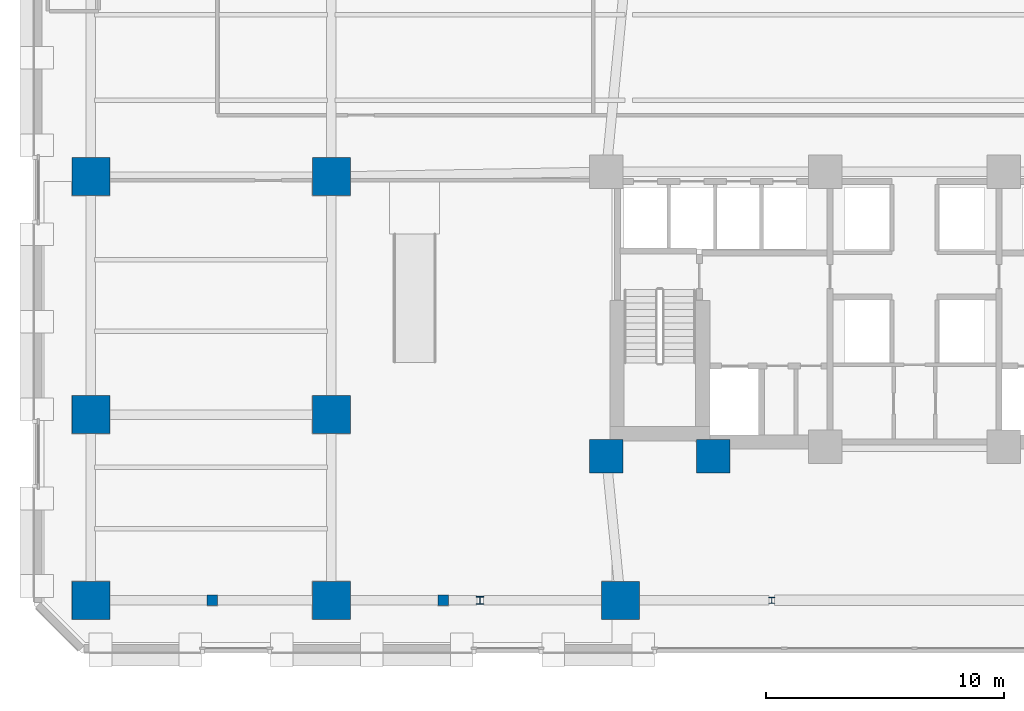
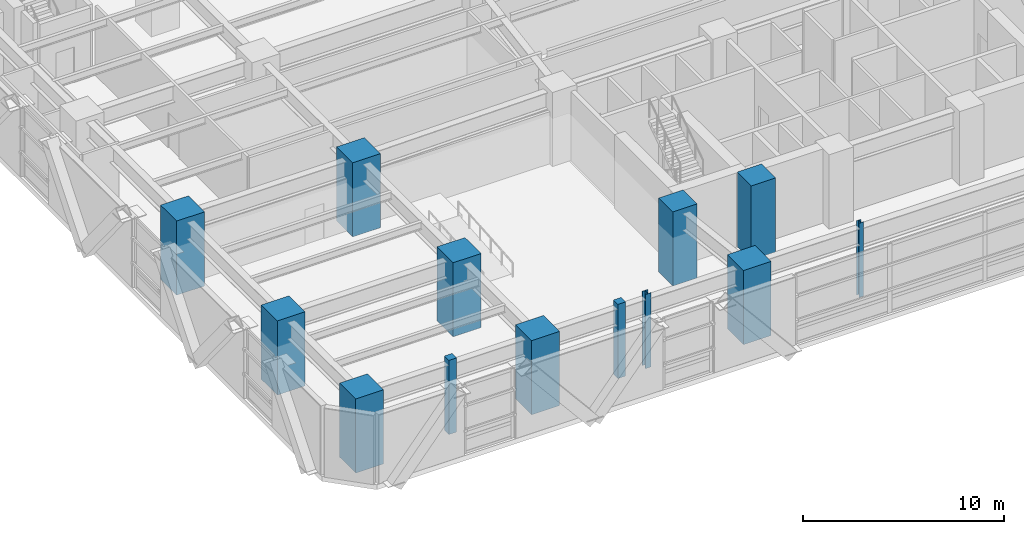
# One storey, part 1 of 26: 13 columns.
"""IFC4 building model written with IfcOpenShell, lengths in metres."""

import ifcopenshell
import ifcopenshell.guid

model = None  # the IFC model being written
_history = None  # IfcOwnerHistory: only IFC2X3 demands one
_inside = {}  # id of a spatial element -> (the spatial element, [elements in it])
_under = {}  # id of a project, library or spatial element -> (it, [spatial elements below it])
_declared = {}  # id of a project -> (the project, [libraries it declares])
_typed = {}  # id of a type object -> (the type object, [elements of that type])
_made_of = {}  # id of a material, layer set ... -> (it, [elements and type objects made of it])


def new_model(schema):
    """Start an empty IFC model of exactly this schema.

    Asked for "IFC4X3", IfcOpenShell would pick the latest addendum, in which some entities
    have other attributes; the version numbers below select the first issue.
    IFC2X3 requires an IfcOwnerHistory on every rooted entity: one is made here for all.
    """
    global model, _history
    if schema == "IFC4X3":
        model = ifcopenshell.file(schema_version=(4, 3, 0, 0))
    else:
        model = ifcopenshell.file(schema=schema)
    _inside.clear()
    _under.clear()
    _declared.clear()
    _typed.clear()
    _made_of.clear()
    _history = None
    if model.schema == "IFC2X3":
        org = make("IfcOrganization", Name="unknown")
        user = make(
            "IfcPersonAndOrganization",
            ThePerson=make("IfcPerson", FamilyName="unknown"),
            TheOrganization=org,
        )
        app = make(
            "IfcApplication",
            ApplicationDeveloper=org,
            Version="unknown",
            ApplicationFullName="unknown",
            ApplicationIdentifier="unknown",
        )
        _history = make(
            "IfcOwnerHistory",
            OwningUser=user,
            OwningApplication=app,
            ChangeAction="ADDED",
            CreationDate=0,
        )
    return model


def make(cls, **values):
    """One entity of the class cls with the attributes given. An attribute that is None is left unset."""
    return model.create_entity(
        cls, **{name: value for name, value in values.items() if value is not None}
    )


def rooted(cls, **values):
    """An entity with a GlobalId (a new one), such as an element, a storey or a relation."""
    return make(cls, GlobalId=ifcopenshell.guid.new(), OwnerHistory=_history, **values)


def si_unit(unit_type, name, prefix=None):
    """IfcSIUnit, for example si_unit("LENGTHUNIT", "METRE", prefix="MILLI")."""
    return make("IfcSIUnit", UnitType=unit_type, Prefix=prefix, Name=name)


def assignment(units):
    """IfcUnitAssignment: the units of a project."""
    return None if units is None else make("IfcUnitAssignment", Units=units)


def point(xyz):
    """IfcCartesianPoint."""
    return None if xyz is None else make("IfcCartesianPoint", Coordinates=xyz)


def direction(xyz):
    """IfcDirection."""
    return None if xyz is None else make("IfcDirection", DirectionRatios=xyz)


def frame(location, z_axis=None, x_axis=None):
    """IfcAxis2Placement3D, a coordinate frame: its origin and axes. An axis left out is left unset."""
    return make(
        "IfcAxis2Placement3D",
        Location=point(location),
        Axis=direction(z_axis),
        RefDirection=direction(x_axis),
    )


def frame_2d(location, x_axis=None):
    """IfcAxis2Placement2D, a coordinate frame in the plane: its origin and x axis."""
    return make(
        "IfcAxis2Placement2D", Location=point(location), RefDirection=direction(x_axis)
    )


def origin():
    """The frame at (0, 0, 0) with its axes left unset."""
    return frame((0.0, 0.0, 0.0))


def origin_2d():
    """The frame at (0, 0) in the plane with its x axis left unset."""
    return frame_2d((0.0, 0.0))


def place(relative_to, where):
    """IfcLocalPlacement: puts the frame where relative to a parent placement (None: the world)."""
    return make(
        "IfcLocalPlacement", PlacementRelTo=relative_to, RelativePlacement=where
    )


def context(
    kind, dimensions, precision=None, world=None, true_north=None, identifier=None
):
    """IfcGeometricRepresentationContext, for example the 3D "Model" context."""
    return make(
        "IfcGeometricRepresentationContext",
        ContextIdentifier=identifier,
        ContextType=kind,
        CoordinateSpaceDimension=dimensions,
        Precision=precision,
        WorldCoordinateSystem=world,
        TrueNorth=true_north,
    )


def subcontext(parent, identifier, kind, view, scale=None):
    """IfcGeometricRepresentationSubContext, for example "Body" below "Model"."""
    return make(
        "IfcGeometricRepresentationSubContext",
        ContextIdentifier=identifier,
        ContextType=kind,
        ParentContext=parent,
        TargetScale=scale,
        TargetView=view,
    )


def project(units=None, contexts=None):
    """IfcProject with its units and contexts."""
    return rooted(
        "IfcProject",
        Name="project",
        RepresentationContexts=contexts,
        UnitsInContext=assignment(units),
    )


def spatial(cls, under=None, at=None, **own):
    """A site, building, storey or space (cls), placed at a placement, below another one or the project."""
    s = rooted(cls, ObjectPlacement=at, **own)
    if under is not None:
        _under.setdefault(under.id(), (under, []))[1].append(s)
    return s


def profile(cls, at=None, kind="AREA", **sizes):
    """A parametric profile (cls). Its sizes go by their IFC names, for example OverallWidth=200.0."""
    return make(cls, ProfileType=kind, Position=at, **sizes)


def rectangle(**sizes):
    """IfcRectangleProfileDef."""
    return profile("IfcRectangleProfileDef", **sizes)


def i_section(**sizes):
    """IfcIShapeProfileDef."""
    return profile("IfcIShapeProfileDef", **sizes)


def extrude(swept, where, along, depth):
    """IfcExtrudedAreaSolid: the profile swept, set in the frame where, extruded along a direction by depth."""
    return make(
        "IfcExtrudedAreaSolid",
        SweptArea=swept,
        Position=where,
        ExtrudedDirection=direction(along),
        Depth=depth,
    )


def shape(context_of_items, identifier, shape_type, items):
    """IfcShapeRepresentation: the items that make up one representation, for example the "Body"."""
    return make(
        "IfcShapeRepresentation",
        ContextOfItems=context_of_items,
        RepresentationIdentifier=identifier,
        RepresentationType=shape_type,
        Items=items,
    )


def material(Name=None, Category=None):
    """IfcMaterial."""
    return make("IfcMaterial", Name=Name, Category=Category)


def material_profile(
    of_material, cross_section, Name=None, Category=None, Priority=None
):
    """IfcMaterialProfile: a cross section and its material."""
    return make(
        "IfcMaterialProfile",
        Name=Name,
        Material=of_material,
        Profile=cross_section,
        Priority=Priority,
        Category=Category,
    )


def profile_set(profiles, Name=None, composite=None):
    """IfcMaterialProfileSet."""
    return make(
        "IfcMaterialProfileSet",
        Name=Name,
        MaterialProfiles=profiles,
        CompositeProfile=composite,
    )


def made_of(thing, what):
    """Note that an element or type object is made of a material, layer set ...; save() writes the relation."""
    if what is not None:
        _made_of.setdefault(what.id(), (what, []))[1].append(thing)
    return thing


def type_object(cls, material=None, **own):
    """A type object (cls), such as IfcWallType, which elements share."""
    return made_of(rooted(cls, **own), material)


def element(
    cls,
    number,
    at=None,
    inside=None,
    cuts=None,
    type_object=None,
    material=None,
    context=None,
    identifier="Body",
    shape_type=None,
    held_by="IfcProductDefinitionShape",
    body=None,
    shapes=None,
    **own,
):
    """One element of the class cls, such as IfcWall. Its Tag is "e" and its number.

    at: its placement. inside: the storey or other place that contains it. cuts: it is an
    opening in that element (IfcRelVoidsElement). A single representation is given by context,
    identifier, shape_type and body (its items); several are given by shapes. held_by: the class
    of the entity that holds the representations. save() writes the other relations.
    """
    e = rooted(cls, Tag="e%d" % number, ObjectPlacement=at, **own)
    if body is not None:
        shapes = [shape(context, identifier, shape_type, body)]
    if shapes is not None:
        e.Representation = make(held_by, Representations=shapes)
    if inside is not None:
        _inside.setdefault(inside.id(), (inside, []))[1].append(e)
    if cuts is not None:
        rooted(
            "IfcRelVoidsElement", RelatingBuildingElement=cuts, RelatedOpeningElement=e
        )
    if type_object is not None:
        _typed.setdefault(type_object.id(), (type_object, []))[1].append(e)
    return made_of(e, material)


def aggregate(whole, parts):
    """IfcRelAggregates: a whole, such as a stair, and the parts it consists of."""
    return rooted("IfcRelAggregates", RelatingObject=whole, RelatedObjects=parts)


def save(model, path):
    """Write the relations noted so far, then the file.

    IfcRelAggregates (storeys below a building ...), IfcRelContainedInSpatialStructure (elements
    in a storey), IfcRelDefinesByType, IfcRelAssociatesMaterial and IfcRelDeclares: one each for
    every whole, place, type object, material and project.
    """
    for whole, parts in _under.values():
        aggregate(whole, parts)
    for where, things in _inside.values():
        rooted(
            "IfcRelContainedInSpatialStructure",
            RelatedElements=things,
            RelatingStructure=where,
        )
    for kind, things in _typed.values():
        rooted("IfcRelDefinesByType", RelatedObjects=things, RelatingType=kind)
    for what, things in _made_of.values():
        rooted("IfcRelAssociatesMaterial", RelatedObjects=things, RelatingMaterial=what)
    for by, libraries in _declared.values():
        rooted("IfcRelDeclares", RelatingContext=by, RelatedDefinitions=libraries)
    model.write(path)


model = new_model("IFC4")

# Units and contexts
model_context = context("Model", 3, precision=1e-05, world=origin(), true_north=direction((0.0, 1.0)))
body_context = subcontext(model_context, "Body", "Model", "MODEL_VIEW")
ifc_project = project(units=[si_unit("LENGTHUNIT", "METRE"), si_unit("AREAUNIT", "SQUARE_METRE"), si_unit("VOLUMEUNIT", "CUBIC_METRE"), si_unit("PLANEANGLEUNIT", "RADIAN"), si_unit("MASSUNIT", "GRAM", prefix="KILO")], contexts=[model_context])

# Site, building, storey
site_placement = place(None, origin())
site = spatial("IfcSite", under=ifc_project, at=site_placement, CompositionType="ELEMENT")
building_placement = place(site_placement, origin())
building = spatial("IfcBuilding", under=site, at=building_placement, Name="Quenlor Broadcast Tower", CompositionType="ELEMENT")
storey_placement = place(building_placement, frame((0.0, 0.0, 5.0)))
storey = spatial("IfcBuildingStorey", under=building, at=storey_placement, Name="L01", CompositionType="ELEMENT", Elevation=5.0)

# Columns
ifc_material_1 = material(Name="Concrete C65/80", Category="concrete")
ifc_material_profile_1 = material_profile(ifc_material_1, rectangle(XDim=1.39990234375, YDim=1.39990234375, at=origin_2d()))
ifc_profile_set_1 = profile_set([ifc_material_profile_1], Name="Concrete C65/80 RC1400x1400")
column_type_1 = type_object("IfcColumnType", Name="Core Corner Column Lower Concrete C65/80 1400", PredefinedType="COLUMN", material=ifc_profile_set_1)
for number, where, z_axis, x_axis, name in (
    (1, (-12.949951171875, -16.75, 0.0), (0.0, 0.0, 1.0), (1.0, 0.0, 0.0), "L01 Core Column CC1"),
    (2, (-8.449951171875, -16.75, 0.0), (0.0, 0.0, 1.0), (1.0, 0.0, 0.0), "L01 Core Column CC2"),
):
    element("IfcColumn", number, at=place(storey_placement, frame(where, z_axis=z_axis, x_axis=x_axis)), inside=storey, type_object=column_type_1, Name=name, PredefinedType="COLUMN", context=body_context, shape_type="SweptSolid", body=[
        extrude(rectangle(XDim=1.39990234375, YDim=1.39990234375, at=origin_2d()), origin(), (0.0, 0.0, 1.0), 4.5),
    ])
ifc_material_2 = material(Name="Concrete C40/50", Category="concrete")
ifc_material_profile_2 = material_profile(ifc_material_2, rectangle(XDim=0.449951171875, YDim=0.449951171875, at=origin_2d()))
ifc_profile_set_2 = profile_set([ifc_material_profile_2], Name="Concrete C40/50 PIL450x450")
column_type_2 = type_object("IfcColumnType", Name="Podium Gallery Pilaster Concrete C40/50 450", PredefinedType="PILASTER", material=ifc_profile_set_2)
for number, where, z_axis, x_axis, name in (
    (3, (-29.5, -22.800048828125, 0.0), (0.0, 0.0, 1.0), (1.0, 0.0, 0.0), "L01 Colonnade Pilaster S1"),
    (4, (-19.800048828125, -22.800048828125, 0.0), (0.0, 0.0, 1.0), (1.0, 0.0, 0.0), "L01 Colonnade Pilaster S2"),
):
    element("IfcColumn", number, at=place(storey_placement, frame(where, z_axis=z_axis, x_axis=x_axis)), inside=storey, type_object=column_type_2, Name=name, PredefinedType="PILASTER", context=body_context, shape_type="SweptSolid", body=[
        extrude(rectangle(XDim=0.449951171875, YDim=0.449951171875, at=origin_2d()), origin(), (0.0, 0.0, 1.0), 4.5),
    ])
ifc_material_3 = material(Name="Steel S355", Category="steel")
ifc_material_profile_3 = material_profile(ifc_material_3, i_section(OverallWidth=0.256103515625, OverallDepth=0.260009765625, WebThickness=0.010498046875, FlangeThickness=0.017333984375, FilletRadius=0.013916015625, at=origin_2d()))
ifc_profile_set_3 = profile_set([ifc_material_profile_3], Name="Steel S355 250UC89.5")
column_type_3 = type_object("IfcColumnType", Name="Podium Gallery Post Steel S355 250UC89.5", PredefinedType="COLUMN", material=ifc_profile_set_3)
column_1_placement = place(storey_placement, frame((-6.0, -22.800048828125, 0.0), z_axis=(0.0, 0.0, 1.0), x_axis=(1.0, 0.0, 0.0)))
element("IfcColumn", 5, at=column_1_placement, inside=storey, type_object=column_type_3, Name="L01 Station Steel Column SPW2", PredefinedType="COLUMN", context=body_context, shape_type="SweptSolid", body=[
    extrude(i_section(OverallWidth=0.256103515625, OverallDepth=0.260009765625, WebThickness=0.010498046875, FlangeThickness=0.017333984375, FilletRadius=0.013916015625, at=origin_2d()), origin(), (0.0, 0.0, 1.0), 4.5),
])
ifc_material_4 = material(Name="Concrete C65/80", Category="concrete")
ifc_material_profile_4 = material_profile(ifc_material_4, rectangle(XDim=1.60009765625, YDim=1.60009765625, at=origin_2d()))
ifc_profile_set_4 = profile_set([ifc_material_profile_4], Name="Concrete C65/80 RC1600x1600")
column_type_4 = type_object("IfcColumnType", Name="Podium Mega Column Concrete C65/80 1600", PredefinedType="COLUMN", material=ifc_profile_set_4)
for number, where, z_axis, x_axis, name in (
    (6, (-34.60009765625, -22.800048828125, 0.0), (0.0, 0.0, 1.0), (1.0, 0.0, 0.0), "L01 Podium Mega Column PM1"),
    (7, (-24.5, -22.800048828125, 0.0), (0.0, 0.0, 1.0), (1.0, 0.0, 0.0), "L01 Podium Mega Column PM2"),
    (8, (-12.35009765625, -22.800048828125, 0.0), (0.0, 0.0, 1.0), (1.0, 0.0, 0.0), "L01 Podium Mega Column PM3"),
    (9, (-34.60009765625, -15.0, 0.0), (0.0, 0.0, 1.0), (1.0, 0.0, 0.0), "L01 Podium Mega Column PM7"),
    (10, (-24.5, -15.0, 0.0), (0.0, 0.0, 1.0), (1.0, 0.0, 0.0), "L01 Podium Mega Column PM8"),
    (11, (-34.60009765625, -5.0, 0.0), (0.0, 0.0, 1.0), (1.0, 0.0, 0.0), "L01 Podium Mega Column PM11"),
    (12, (-24.5, -5.0, 0.0), (0.0, 0.0, 1.0), (1.0, 0.0, 0.0), "L01 Podium Mega Column PM12"),
):
    element("IfcColumn", number, at=place(storey_placement, frame(where, z_axis=z_axis, x_axis=x_axis)), inside=storey, type_object=column_type_4, Name=name, PredefinedType="COLUMN", context=body_context, shape_type="SweptSolid", body=[
        extrude(rectangle(XDim=1.60009765625, YDim=1.60009765625, at=origin_2d()), origin(), (0.0, 0.0, 1.0), 4.5),
    ])
ifc_material_5 = material(Name="Steel S355", Category="steel")
ifc_material_profile_5 = material_profile(ifc_material_5, i_section(OverallWidth=0.31103515625, OverallDepth=0.3271484375, WebThickness=0.015625, FlangeThickness=0.02490234375, FilletRadius=0.0166015625, at=origin_2d()))
ifc_profile_set_5 = profile_set([ifc_material_profile_5], Name="Steel S355 310UC158")
column_type_5 = type_object("IfcColumnType", Name="Podium Trim Post Steel S355 310UC158", PredefinedType="COLUMN", material=ifc_profile_set_5)
column_2_placement = place(storey_placement, frame((-18.25, -22.800048828125, 0.0), z_axis=(0.0, 0.0, 1.0), x_axis=(1.0, 0.0, 0.0)))
element("IfcColumn", 13, at=column_2_placement, inside=storey, type_object=column_type_5, Name="L01 Station Steel Column SPW1", PredefinedType="COLUMN", context=body_context, shape_type="SweptSolid", body=[
    extrude(i_section(OverallWidth=0.31103515625, OverallDepth=0.3271484375, WebThickness=0.015625, FlangeThickness=0.02490234375, FilletRadius=0.0166015625, at=origin_2d()), origin(), (0.0, 0.0, 1.0), 4.5),
])

save(model, "model.ifc")
